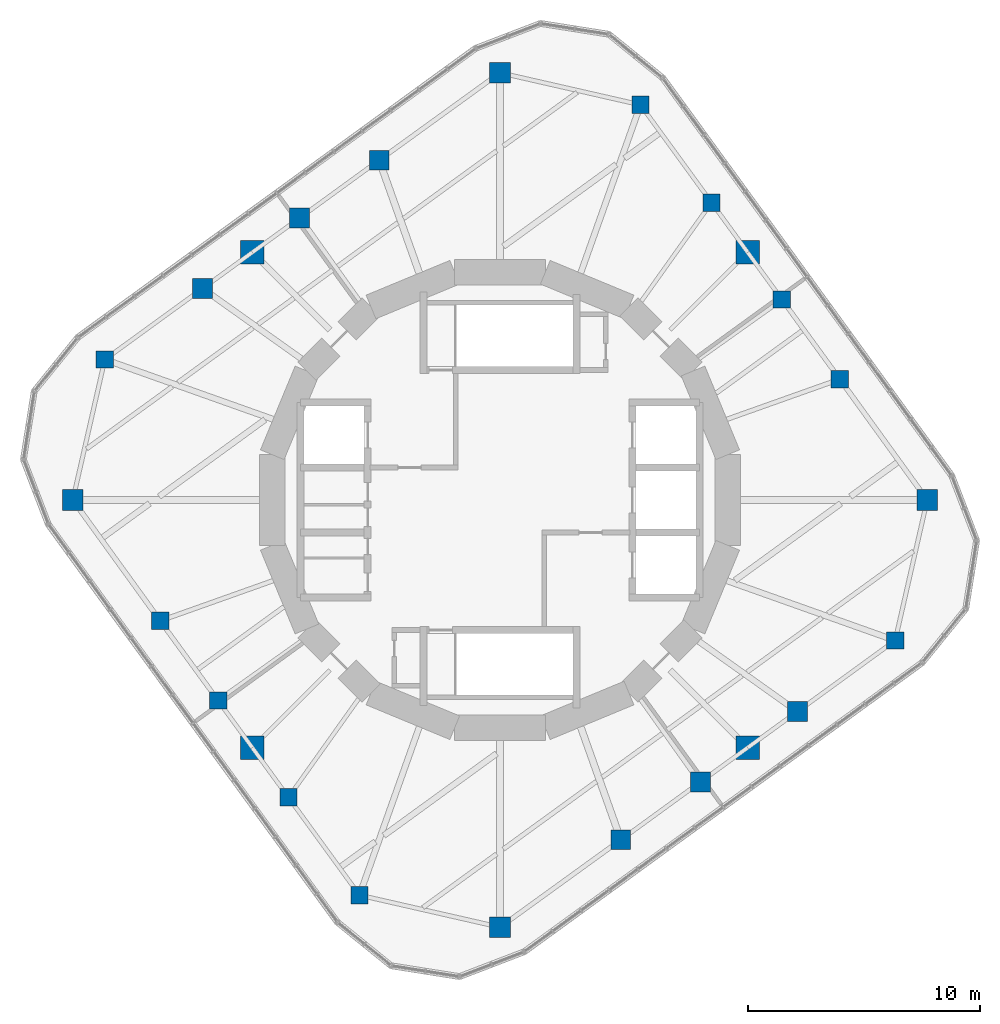
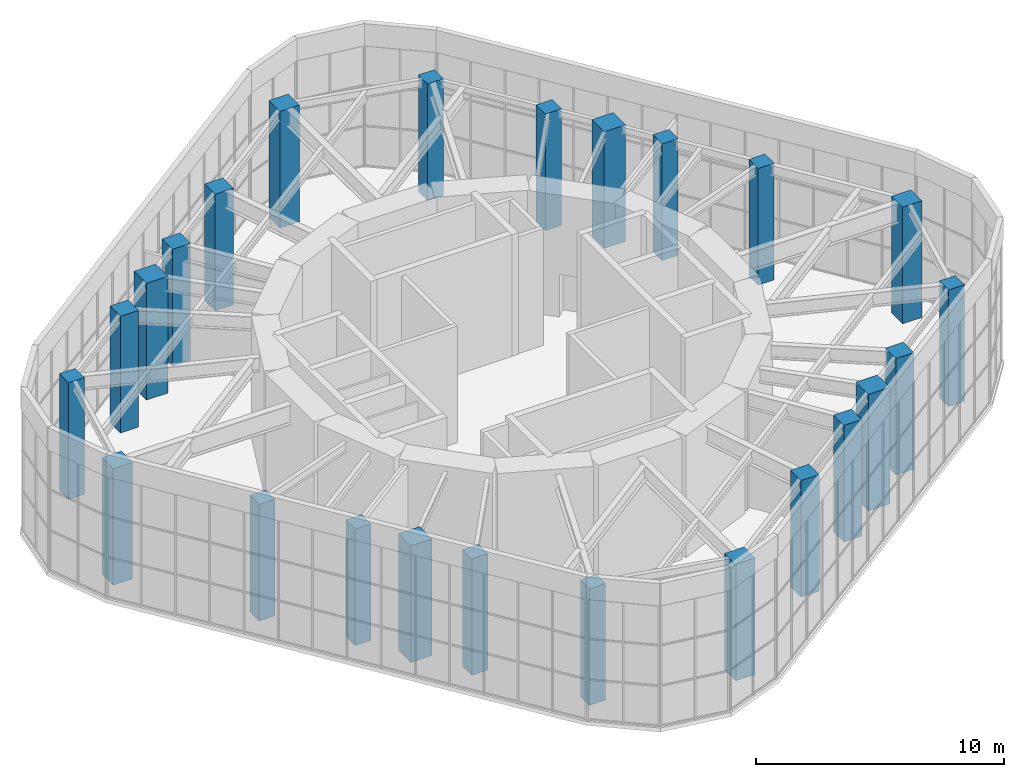
# One storey, part 1 of 17: 24 columns.
"""IFC4 building model written with IfcOpenShell, lengths in metres."""

from ifc_helpers import new_model, si_unit, direction, frame, origin, origin_2d, place, context, subcontext, project, spatial, rectangle, extrude, material, material_profile, profile_set, type_object, element, save


model = new_model("IFC4")

# Units and contexts
model_context = context("Model", 3, precision=1e-05, world=origin(), true_north=direction((0.0, 1.0)))
body_context = subcontext(model_context, "Body", "Model", "MODEL_VIEW")
ifc_project = project(units=[si_unit("LENGTHUNIT", "METRE"), si_unit("AREAUNIT", "SQUARE_METRE"), si_unit("VOLUMEUNIT", "CUBIC_METRE"), si_unit("PLANEANGLEUNIT", "RADIAN"), si_unit("MASSUNIT", "GRAM", prefix="KILO")], contexts=[model_context])

# Site, building, storey
site_placement = place(None, origin())
site = spatial("IfcSite", under=ifc_project, at=site_placement, CompositionType="ELEMENT")
building_placement = place(site_placement, origin())
building = spatial("IfcBuilding", under=site, at=building_placement, Name="Nakasero Lantern House", CompositionType="ELEMENT")
storey_placement = place(building_placement, frame((0.0, 0.0, 304.39990234375)))
storey = spatial("IfcBuildingStorey", under=building, at=storey_placement, Name="L74", CompositionType="ELEMENT", Elevation=304.39990234375)

# Columns
ifc_material_1 = material(Name="Concrete C40/50", Category="concrete")
ifc_material_profile_1 = material_profile(ifc_material_1, rectangle(XDim=1.0, YDim=1.0, at=origin_2d()), Name="RC 1000x1000")
ifc_profile_set_1 = profile_set([ifc_material_profile_1], Name="Concrete C40/50")
column_type_1 = type_object("IfcColumnType", Name="Mega column RC 1000x1000 C40/50", PredefinedType="COLUMN", material=ifc_profile_set_1)
for number, where, z_axis, x_axis, name in (
    (1, (10.667236328125, 10.667236328125, 0.0), (0.0, 0.0, 1.0), (1.0, 0.0, 0.0), "Column B7-C06 L74"),
    (2, (-10.667236328125, 10.667236328125, 0.0), (0.0, 0.0, 1.0), (1.0, 0.0, 0.0), "Column B7-C12 L74"),
    (3, (-10.667236328125, -10.667236328125, 0.0), (0.0, 0.0, 1.0), (1.0, 0.0, 0.0), "Column B7-C18 L74"),
    (4, (10.667236328125, -10.667236328125, 0.0), (0.0, 0.0, 1.0), (1.0, 0.0, 0.0), "Column B7-C24 L74"),
):
    element("IfcColumn", number, at=place(storey_placement, frame(where, z_axis=z_axis, x_axis=x_axis)), inside=storey, type_object=column_type_1, Name=name, PredefinedType="COLUMN", context=body_context, shape_type="SweptSolid", body=[
        extrude(rectangle(XDim=1.0, YDim=1.0, at=origin_2d()), origin(), (0.0, 0.0, 1.0), 5.75),
    ])
ifc_material_2 = material(Name="Concrete C40/50", Category="concrete")
ifc_material_profile_2 = material_profile(ifc_material_2, rectangle(XDim=0.75, YDim=0.75, at=origin_2d()), Name="RC 750x750")
ifc_profile_set_2 = profile_set([ifc_material_profile_2], Name="Concrete C40/50")
column_type_2 = type_object("IfcColumnType", Name="Ring column RC 750x750 C40/50", PredefinedType="COLUMN", material=ifc_profile_set_2)
for number, where, z_axis, x_axis, name in (
    (5, (17.02001953125, -6.051513671875, 0.0), (0.0, 0.0, 1.0), (1.0, 0.0, 0.0), "Column B7-C02 L74"),
    (6, (14.636474609375, 5.2041015625, 0.0), (0.0, 0.0, 1.0), (1.0, 0.0, 0.0), "Column B7-C04 L74"),
    (7, (12.1435546875, 8.63525390625, 0.0), (0.0, 0.0, 1.0), (1.0, 0.0, 0.0), "Column B7-C05 L74"),
    (8, (9.10986328125, 12.810791015625, 0.0), (0.0, 0.0, 1.0), (1.0, 0.0, 0.0), "Column B7-C07 L74"),
    (9, (6.051513671875, 17.02001953125, 0.0), (0.0, 0.0, 1.0), (1.0, 0.0, 0.0), "Column B7-C08 L74"),
    (10, (-17.02001953125, 6.051513671875, 0.0), (0.0, 0.0, 1.0), (1.0, 0.0, 0.0), "Column B7-C14 L74"),
    (11, (-14.636474609375, -5.2041015625, 0.0), (0.0, 0.0, 1.0), (1.0, 0.0, 0.0), "Column B7-C16 L74"),
    (12, (-12.1435546875, -8.63525390625, 0.0), (0.0, 0.0, 1.0), (1.0, 0.0, 0.0), "Column B7-C17 L74"),
    (13, (-9.10986328125, -12.810791015625, 0.0), (0.0, 0.0, 1.0), (1.0, 0.0, 0.0), "Column B7-C19 L74"),
    (14, (-6.051513671875, -17.02001953125, 0.0), (0.0, 0.0, 1.0), (1.0, 0.0, 0.0), "Column B7-C20 L74"),
):
    element("IfcColumn", number, at=place(storey_placement, frame(where, z_axis=z_axis, x_axis=x_axis)), inside=storey, type_object=column_type_2, Name=name, PredefinedType="COLUMN", context=body_context, shape_type="SweptSolid", body=[
        extrude(rectangle(XDim=0.75, YDim=0.75, at=origin_2d()), origin(), (0.0, 0.0, 1.0), 5.75),
    ])
ifc_material_3 = material(Name="Concrete C40/50", Category="concrete")
ifc_material_profile_3 = material_profile(ifc_material_3, rectangle(XDim=0.85009765625, YDim=0.85009765625, at=origin_2d()), Name="RC 850x850")
ifc_profile_set_3 = profile_set([ifc_material_profile_3], Name="Concrete C40/50")
column_type_3 = type_object("IfcColumnType", Name="Ring column RC 850x850 C40/50", PredefinedType="COLUMN", material=ifc_profile_set_3)
for number, where, z_axis, x_axis, name in (
    (15, (12.810791015625, -9.10986328125, 0.0), (0.0, 0.0, 1.0), (1.0, 0.0, 0.0), "Column B7-C01 L74"),
    (16, (-5.2041015625, 14.636474609375, 0.0), (0.0, 0.0, 1.0), (1.0, 0.0, 0.0), "Column B7-C10 L74"),
    (17, (-8.63525390625, 12.1435546875, 0.0), (0.0, 0.0, 1.0), (1.0, 0.0, 0.0), "Column B7-C11 L74"),
    (18, (-12.810791015625, 9.10986328125, 0.0), (0.0, 0.0, 1.0), (1.0, 0.0, 0.0), "Column B7-C13 L74"),
    (19, (5.2041015625, -14.636474609375, 0.0), (0.0, 0.0, 1.0), (1.0, 0.0, 0.0), "Column B7-C22 L74"),
    (20, (8.63525390625, -12.1435546875, 0.0), (0.0, 0.0, 1.0), (1.0, 0.0, 0.0), "Column B7-C23 L74"),
):
    element("IfcColumn", number, at=place(storey_placement, frame(where, z_axis=z_axis, x_axis=x_axis)), inside=storey, type_object=column_type_3, Name=name, PredefinedType="COLUMN", context=body_context, shape_type="SweptSolid", body=[
        extrude(rectangle(XDim=0.85009765625, YDim=0.85009765625, at=origin_2d()), origin(), (0.0, 0.0, 1.0), 5.75),
    ])
ifc_material_4 = material(Name="Concrete C40/50", Category="concrete")
ifc_material_profile_4 = material_profile(ifc_material_4, rectangle(XDim=0.89990234375, YDim=0.89990234375, at=origin_2d()), Name="RC 900x900")
ifc_profile_set_4 = profile_set([ifc_material_profile_4], Name="Concrete C40/50")
column_type_4 = type_object("IfcColumnType", Name="Ring column RC 900x900 C40/50", PredefinedType="COLUMN", material=ifc_profile_set_4)
for number, where, z_axis, x_axis, name in (
    (21, (18.39990234375, 0.0, 0.0), (0.0, 0.0, 1.0), (1.0, 0.0, 0.0), "Column B7-C03 L74"),
    (22, (0.0, 18.39990234375, 0.0), (0.0, 0.0, 1.0), (1.0, 0.0, 0.0), "Column B7-C09 L74"),
    (23, (-18.39990234375, 0.0, 0.0), (0.0, 0.0, 1.0), (1.0, 0.0, 0.0), "Column B7-C15 L74"),
    (24, (0.0, -18.39990234375, 0.0), (0.0, 0.0, 1.0), (1.0, 0.0, 0.0), "Column B7-C21 L74"),
):
    element("IfcColumn", number, at=place(storey_placement, frame(where, z_axis=z_axis, x_axis=x_axis)), inside=storey, type_object=column_type_4, Name=name, PredefinedType="COLUMN", context=body_context, shape_type="SweptSolid", body=[
        extrude(rectangle(XDim=0.89990234375, YDim=0.89990234375, at=origin_2d()), origin(), (0.0, 0.0, 1.0), 5.75),
    ])

save(model, "model.ifc")
